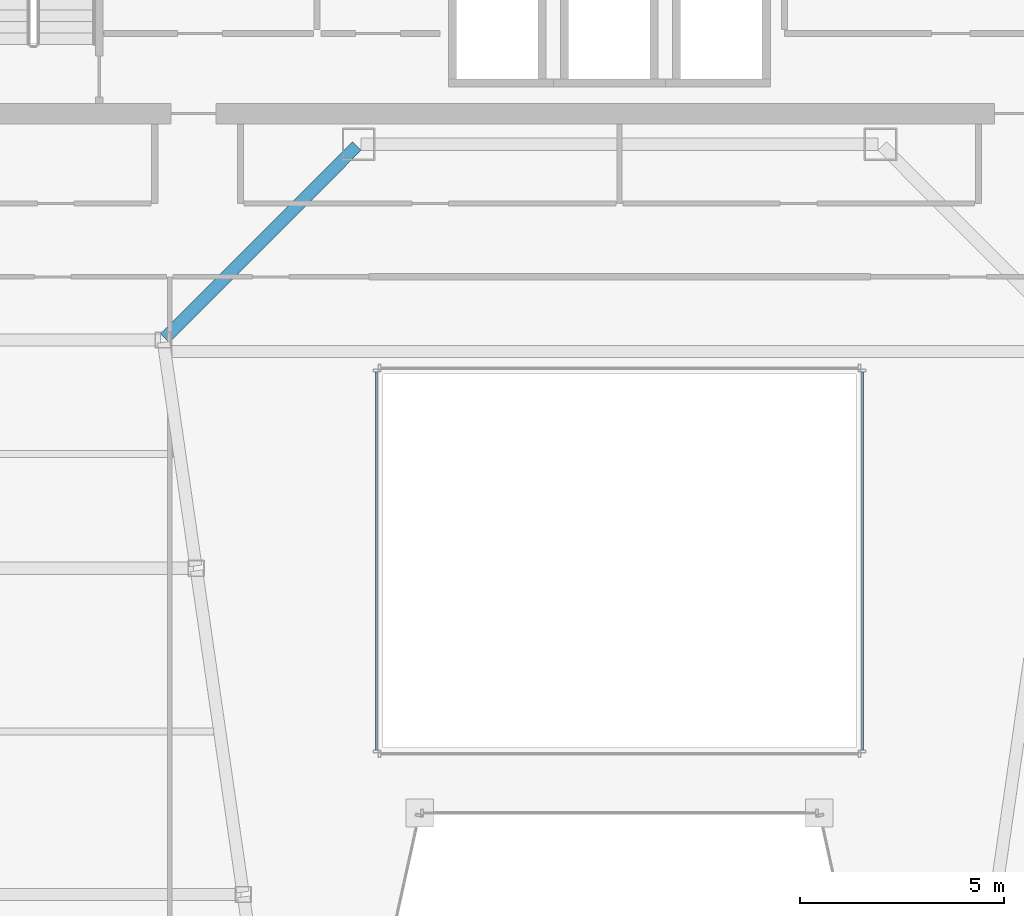
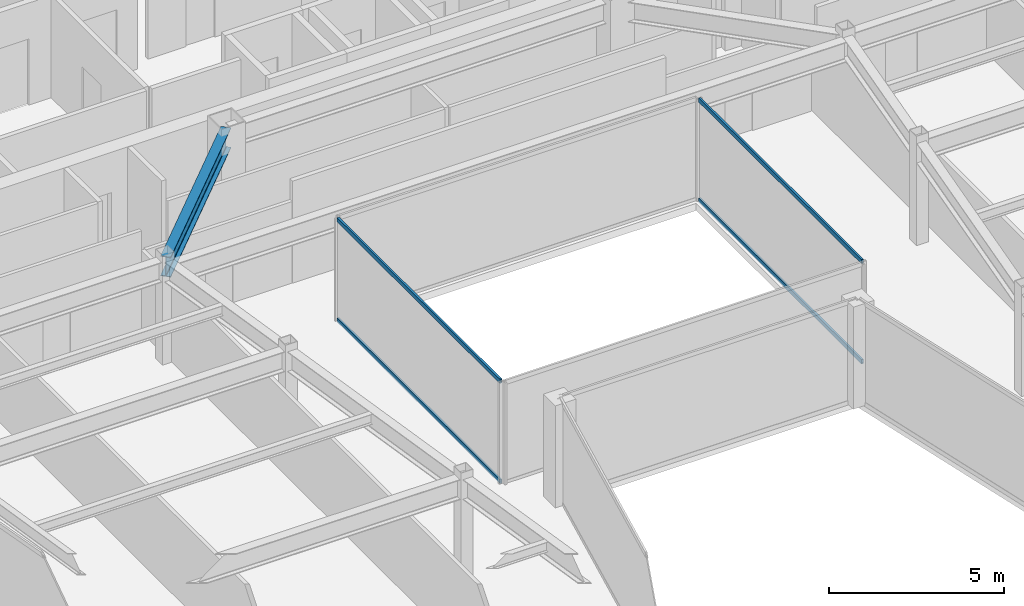
# One storey, part 12 of 36: 4 members, 1 beam, 2 elements without a shape of their own.
"""IFC4 building model written with IfcOpenShell, lengths in metres."""

from ifc_helpers import new_model, si_unit, direction, frame, origin, origin_2d, place, context, subcontext, project, spatial, hollow_rectangle, i_section, extrude, material, material_profile, profile_set, type_object, element, aggregate, save


model = new_model("IFC4")

# Units and contexts
model_context = context("Model", 3, precision=1e-05, world=origin(), true_north=direction((0.0, 1.0)))
body_context = subcontext(model_context, "Body", "Model", "MODEL_VIEW")
ifc_project = project(units=[si_unit("LENGTHUNIT", "METRE"), si_unit("AREAUNIT", "SQUARE_METRE"), si_unit("VOLUMEUNIT", "CUBIC_METRE"), si_unit("PLANEANGLEUNIT", "RADIAN"), si_unit("MASSUNIT", "GRAM", prefix="KILO")], contexts=[model_context])

# Site, building, storey
site_placement = place(None, origin())
site = spatial("IfcSite", under=ifc_project, at=site_placement, CompositionType="ELEMENT")
building_placement = place(site_placement, origin())
building = spatial("IfcBuilding", under=site, at=building_placement, Name="Saevonmaru Cultural Tower", CompositionType="ELEMENT")
storey_placement = place(building_placement, frame((0.0, 0.0, 182.800048828125)))
storey = spatial("IfcBuildingStorey", under=building, at=storey_placement, Name="L41", CompositionType="ELEMENT", Elevation=182.800048828125)

# Beam
ifc_material_1 = material(Name="Steel SM355", Category="steel")
ifc_material_profile_1 = material_profile(ifc_material_1, i_section(OverallWidth=0.300048828125, OverallDepth=0.699951171875, WebThickness=0.012939453125, FlangeThickness=0.02392578125, FilletRadius=0.02587890625, at=origin_2d()), Name="H-700x300x13x24")
ifc_profile_set_1 = profile_set([ifc_material_profile_1], Name="Steel SM355")
beam_type = type_object("IfcBeamType", Name="BM-G-H700", PredefinedType="BEAM", material=ifc_profile_set_1)
beam_placement = place(storey_placement, frame((18.850341796875, 37.642578125, 3.199951171875), z_axis=(0.706538566564, 0.707674539572, 0.0), x_axis=(-0.707674539572, 0.706538566564, 0.0)))
element("IfcBeam", 1, at=beam_placement, inside=storey, type_object=beam_type, Name="L41 West Atrium Girder 4", PredefinedType="BEAM", context=body_context, shape_type="SweptSolid", body=[
    extrude(i_section(OverallWidth=0.300048828125, OverallDepth=0.699951171875, WebThickness=0.012939453125, FlangeThickness=0.02392578125, FilletRadius=0.02587890625, at=origin_2d()), origin(), (0.0, 0.0, 1.0), 6.662353515625),
])

# Curtain wall, members
ifc_material_2 = material(Name="Satin Bronze Anodised Aluminium", Category="aluminium")
curtain_wall_type = type_object("IfcCurtainWallType", Name="CW-ATR-GLZ", PredefinedType="NOTDEFINED", material=ifc_material_2)
curtain_wall_1_placement = place(storey_placement, origin())
curtain_wall_1 = element("IfcCurtainWall", 2, at=curtain_wall_1_placement, inside=storey, type_object=curtain_wall_type, Name="L41 Vertical Atrium Glazed Smoke Screen 2", PredefinedType="NOTDEFINED")
ifc_material_profile_2 = material_profile(ifc_material_2, hollow_rectangle(XDim=0.06494140625, YDim=0.14990234375, WallThickness=0.00390625, at=origin_2d()), Name="ALU-TRAN-150x65x4")
ifc_profile_set_2 = profile_set([ifc_material_profile_2], Name="Satin Bronze Anodised Aluminium")
member_type = type_object("IfcMemberType", Name="TR-CW-INT-150x65", PredefinedType="USERDEFINED", material=ifc_profile_set_2)
member_1_placement = place(storey_placement, frame((35.949951171875, 27.54248046875, 0.032470703125), z_axis=(0.0, 1.0, 0.0), x_axis=(-1.0, 0.0, 0.0)))
member_1 = element("IfcMember", 3, at=member_1_placement, type_object=member_type, Name="CW-ATR-L41-2 transom 1.1", ObjectType="TRANSOM", PredefinedType="USERDEFINED", context=body_context, shape_type="SweptSolid", body=[
    extrude(hollow_rectangle(XDim=0.06494140625, YDim=0.14990234375, WallThickness=0.00390625, at=origin_2d()), origin(), (0.0, 0.0, 1.0), 9.27490234375),
])
member_2_placement = place(storey_placement, frame((35.949951171875, 27.54248046875, 3.517333984375), z_axis=(0.0, 1.0, 0.0), x_axis=(-1.0, 0.0, 0.0)))
member_2 = element("IfcMember", 4, at=member_2_placement, type_object=member_type, Name="CW-ATR-L41-2 transom 1.2", ObjectType="TRANSOM", PredefinedType="USERDEFINED", context=body_context, shape_type="SweptSolid", body=[
    extrude(hollow_rectangle(XDim=0.06494140625, YDim=0.14990234375, WallThickness=0.00390625, at=origin_2d()), origin(), (0.0, 0.0, 1.0), 9.27490234375),
])
aggregate(curtain_wall_1, [member_1, member_2])

curtain_wall_2_placement = place(storey_placement, origin())
curtain_wall_2 = element("IfcCurtainWall", 5, at=curtain_wall_2_placement, inside=storey, type_object=curtain_wall_type, Name="L41 Vertical Atrium Glazed Smoke Screen 4", PredefinedType="NOTDEFINED")
member_3_placement = place(storey_placement, frame((24.050048828125, 36.8173828125, 0.032470703125), z_axis=(0.0, -1.0, 0.0), x_axis=(1.0, 0.0, 0.0)))
member_3 = element("IfcMember", 6, at=member_3_placement, type_object=member_type, Name="CW-ATR-L41-4 transom 1.1", ObjectType="TRANSOM", PredefinedType="USERDEFINED", context=body_context, shape_type="SweptSolid", body=[
    extrude(hollow_rectangle(XDim=0.06494140625, YDim=0.14990234375, WallThickness=0.00390625, at=origin_2d()), origin(), (0.0, 0.0, 1.0), 9.27490234375),
])
member_4_placement = place(storey_placement, frame((24.050048828125, 36.8173828125, 3.517333984375), z_axis=(0.0, -1.0, 0.0), x_axis=(1.0, 0.0, 0.0)))
member_4 = element("IfcMember", 7, at=member_4_placement, type_object=member_type, Name="CW-ATR-L41-4 transom 1.2", ObjectType="TRANSOM", PredefinedType="USERDEFINED", context=body_context, shape_type="SweptSolid", body=[
    extrude(hollow_rectangle(XDim=0.06494140625, YDim=0.14990234375, WallThickness=0.00390625, at=origin_2d()), origin(), (0.0, 0.0, 1.0), 9.27490234375),
])
aggregate(curtain_wall_2, [member_3, member_4])

save(model, "model.ifc")
